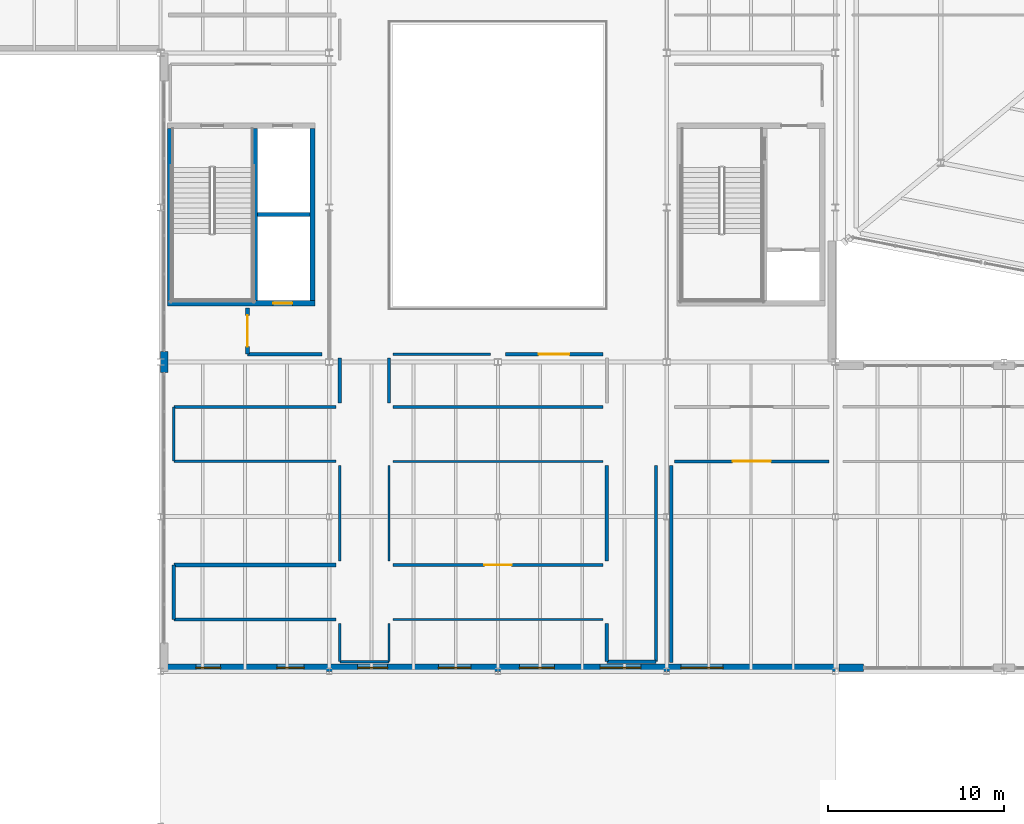
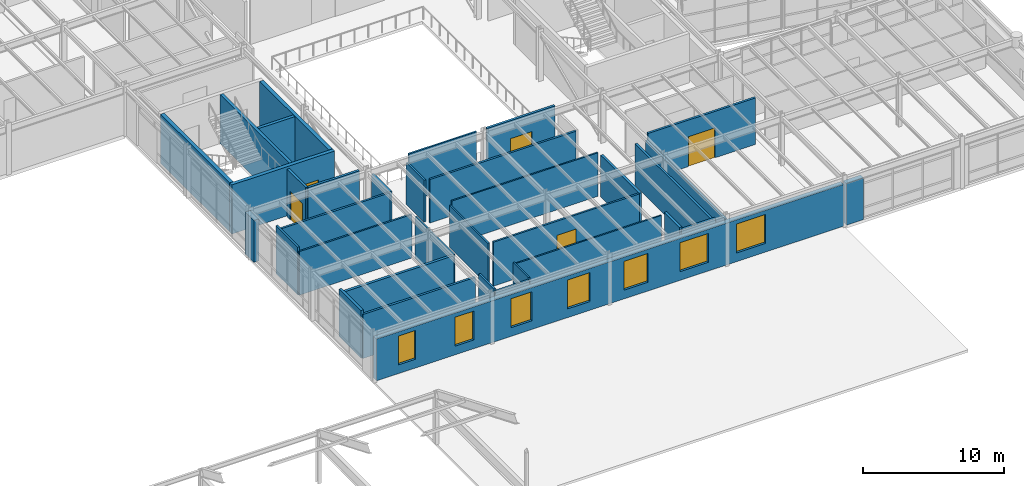
# One storey, part 70 of 88: 35 walls, 7 windows, 5 doors, 12 openings.
"""IFC4 building model written with IfcOpenShell, lengths in metres."""

import ifcopenshell
import ifcopenshell.guid

model = None  # the IFC model being written
_history = None  # IfcOwnerHistory: only IFC2X3 demands one
_inside = {}  # id of a spatial element -> (the spatial element, [elements in it])
_under = {}  # id of a project, library or spatial element -> (it, [spatial elements below it])
_declared = {}  # id of a project -> (the project, [libraries it declares])
_typed = {}  # id of a type object -> (the type object, [elements of that type])
_made_of = {}  # id of a material, layer set ... -> (it, [elements and type objects made of it])


def new_model(schema):
    """Start an empty IFC model of exactly this schema.

    Asked for "IFC4X3", IfcOpenShell would pick the latest addendum, in which some entities
    have other attributes; the version numbers below select the first issue.
    IFC2X3 requires an IfcOwnerHistory on every rooted entity: one is made here for all.
    """
    global model, _history
    if schema == "IFC4X3":
        model = ifcopenshell.file(schema_version=(4, 3, 0, 0))
    else:
        model = ifcopenshell.file(schema=schema)
    _inside.clear()
    _under.clear()
    _declared.clear()
    _typed.clear()
    _made_of.clear()
    _history = None
    if model.schema == "IFC2X3":
        org = make("IfcOrganization", Name="unknown")
        user = make(
            "IfcPersonAndOrganization",
            ThePerson=make("IfcPerson", FamilyName="unknown"),
            TheOrganization=org,
        )
        app = make(
            "IfcApplication",
            ApplicationDeveloper=org,
            Version="unknown",
            ApplicationFullName="unknown",
            ApplicationIdentifier="unknown",
        )
        _history = make(
            "IfcOwnerHistory",
            OwningUser=user,
            OwningApplication=app,
            ChangeAction="ADDED",
            CreationDate=0,
        )
    return model


def make(cls, **values):
    """One entity of the class cls with the attributes given. An attribute that is None is left unset."""
    return model.create_entity(
        cls, **{name: value for name, value in values.items() if value is not None}
    )


def rooted(cls, **values):
    """An entity with a GlobalId (a new one), such as an element, a storey or a relation."""
    return make(cls, GlobalId=ifcopenshell.guid.new(), OwnerHistory=_history, **values)


def si_unit(unit_type, name, prefix=None):
    """IfcSIUnit, for example si_unit("LENGTHUNIT", "METRE", prefix="MILLI")."""
    return make("IfcSIUnit", UnitType=unit_type, Prefix=prefix, Name=name)


def assignment(units):
    """IfcUnitAssignment: the units of a project."""
    return None if units is None else make("IfcUnitAssignment", Units=units)


def point(xyz):
    """IfcCartesianPoint."""
    return None if xyz is None else make("IfcCartesianPoint", Coordinates=xyz)


def direction(xyz):
    """IfcDirection."""
    return None if xyz is None else make("IfcDirection", DirectionRatios=xyz)


def frame(location, z_axis=None, x_axis=None):
    """IfcAxis2Placement3D, a coordinate frame: its origin and axes. An axis left out is left unset."""
    return make(
        "IfcAxis2Placement3D",
        Location=point(location),
        Axis=direction(z_axis),
        RefDirection=direction(x_axis),
    )


def frame_2d(location, x_axis=None):
    """IfcAxis2Placement2D, a coordinate frame in the plane: its origin and x axis."""
    return make(
        "IfcAxis2Placement2D", Location=point(location), RefDirection=direction(x_axis)
    )


def origin():
    """The frame at (0, 0, 0) with its axes left unset."""
    return frame((0.0, 0.0, 0.0))


def place(relative_to, where):
    """IfcLocalPlacement: puts the frame where relative to a parent placement (None: the world)."""
    return make(
        "IfcLocalPlacement", PlacementRelTo=relative_to, RelativePlacement=where
    )


def context(
    kind, dimensions, precision=None, world=None, true_north=None, identifier=None
):
    """IfcGeometricRepresentationContext, for example the 3D "Model" context."""
    return make(
        "IfcGeometricRepresentationContext",
        ContextIdentifier=identifier,
        ContextType=kind,
        CoordinateSpaceDimension=dimensions,
        Precision=precision,
        WorldCoordinateSystem=world,
        TrueNorth=true_north,
    )


def subcontext(parent, identifier, kind, view, scale=None):
    """IfcGeometricRepresentationSubContext, for example "Body" below "Model"."""
    return make(
        "IfcGeometricRepresentationSubContext",
        ContextIdentifier=identifier,
        ContextType=kind,
        ParentContext=parent,
        TargetScale=scale,
        TargetView=view,
    )


def project(units=None, contexts=None):
    """IfcProject with its units and contexts."""
    return rooted(
        "IfcProject",
        Name="project",
        RepresentationContexts=contexts,
        UnitsInContext=assignment(units),
    )


def spatial(cls, under=None, at=None, **own):
    """A site, building, storey or space (cls), placed at a placement, below another one or the project."""
    s = rooted(cls, ObjectPlacement=at, **own)
    if under is not None:
        _under.setdefault(under.id(), (under, []))[1].append(s)
    return s


def profile(cls, at=None, kind="AREA", **sizes):
    """A parametric profile (cls). Its sizes go by their IFC names, for example OverallWidth=200.0."""
    return make(cls, ProfileType=kind, Position=at, **sizes)


def rectangle(**sizes):
    """IfcRectangleProfileDef."""
    return profile("IfcRectangleProfileDef", **sizes)


def extrude(swept, where, along, depth):
    """IfcExtrudedAreaSolid: the profile swept, set in the frame where, extruded along a direction by depth."""
    return make(
        "IfcExtrudedAreaSolid",
        SweptArea=swept,
        Position=where,
        ExtrudedDirection=direction(along),
        Depth=depth,
    )


def shape(context_of_items, identifier, shape_type, items):
    """IfcShapeRepresentation: the items that make up one representation, for example the "Body"."""
    return make(
        "IfcShapeRepresentation",
        ContextOfItems=context_of_items,
        RepresentationIdentifier=identifier,
        RepresentationType=shape_type,
        Items=items,
    )


def material(Name=None, Category=None):
    """IfcMaterial."""
    return make("IfcMaterial", Name=Name, Category=Category)


def layer(
    of_material, thickness, ventilated=None, Name=None, Category=None, Priority=None
):
    """IfcMaterialLayer: one layer of a wall or slab, of a material (None: an air gap)."""
    return make(
        "IfcMaterialLayer",
        Material=of_material,
        LayerThickness=thickness,
        IsVentilated=ventilated,
        Name=Name,
        Category=Category,
        Priority=Priority,
    )


def layer_set(layers, Name=None):
    """IfcMaterialLayerSet."""
    return make("IfcMaterialLayerSet", MaterialLayers=layers, LayerSetName=Name)


def made_of(thing, what):
    """Note that an element or type object is made of a material, layer set ...; save() writes the relation."""
    if what is not None:
        _made_of.setdefault(what.id(), (what, []))[1].append(thing)
    return thing


def type_object(cls, material=None, **own):
    """A type object (cls), such as IfcWallType, which elements share."""
    return made_of(rooted(cls, **own), material)


def element(
    cls,
    number,
    at=None,
    inside=None,
    cuts=None,
    type_object=None,
    material=None,
    context=None,
    identifier="Body",
    shape_type=None,
    held_by="IfcProductDefinitionShape",
    body=None,
    shapes=None,
    **own,
):
    """One element of the class cls, such as IfcWall. Its Tag is "e" and its number.

    at: its placement. inside: the storey or other place that contains it. cuts: it is an
    opening in that element (IfcRelVoidsElement). A single representation is given by context,
    identifier, shape_type and body (its items); several are given by shapes. held_by: the class
    of the entity that holds the representations. save() writes the other relations.
    """
    e = rooted(cls, Tag="e%d" % number, ObjectPlacement=at, **own)
    if body is not None:
        shapes = [shape(context, identifier, shape_type, body)]
    if shapes is not None:
        e.Representation = make(held_by, Representations=shapes)
    if inside is not None:
        _inside.setdefault(inside.id(), (inside, []))[1].append(e)
    if cuts is not None:
        rooted(
            "IfcRelVoidsElement", RelatingBuildingElement=cuts, RelatedOpeningElement=e
        )
    if type_object is not None:
        _typed.setdefault(type_object.id(), (type_object, []))[1].append(e)
    return made_of(e, material)


def fill(opening, filler):
    """IfcRelFillsElement: the door or window that sits in an opening."""
    return rooted(
        "IfcRelFillsElement",
        RelatingOpeningElement=opening,
        RelatedBuildingElement=filler,
    )


def aggregate(whole, parts):
    """IfcRelAggregates: a whole, such as a stair, and the parts it consists of."""
    return rooted("IfcRelAggregates", RelatingObject=whole, RelatedObjects=parts)


def save(model, path):
    """Write the relations noted so far, then the file.

    IfcRelAggregates (storeys below a building ...), IfcRelContainedInSpatialStructure (elements
    in a storey), IfcRelDefinesByType, IfcRelAssociatesMaterial and IfcRelDeclares: one each for
    every whole, place, type object, material and project.
    """
    for whole, parts in _under.values():
        aggregate(whole, parts)
    for where, things in _inside.values():
        rooted(
            "IfcRelContainedInSpatialStructure",
            RelatedElements=things,
            RelatingStructure=where,
        )
    for kind, things in _typed.values():
        rooted("IfcRelDefinesByType", RelatedObjects=things, RelatingType=kind)
    for what, things in _made_of.values():
        rooted("IfcRelAssociatesMaterial", RelatedObjects=things, RelatingMaterial=what)
    for by, libraries in _declared.values():
        rooted("IfcRelDeclares", RelatingContext=by, RelatedDefinitions=libraries)
    model.write(path)


model = new_model("IFC4")

# Units and contexts
model_context = context("Model", 3, precision=1e-05, world=origin(), true_north=direction((0.0, 1.0)))
body_context = subcontext(model_context, "Body", "Model", "MODEL_VIEW")
ifc_project = project(units=[si_unit("LENGTHUNIT", "METRE"), si_unit("AREAUNIT", "SQUARE_METRE"), si_unit("VOLUMEUNIT", "CUBIC_METRE"), si_unit("PLANEANGLEUNIT", "RADIAN"), si_unit("MASSUNIT", "GRAM", prefix="KILO")], contexts=[model_context])

# Site, building, storey
site_placement = place(None, origin())
site = spatial("IfcSite", under=ifc_project, at=site_placement, CompositionType="ELEMENT")
building_placement = place(site_placement, origin())
building = spatial("IfcBuilding", under=site, at=building_placement, Name="Sarnbrook Museum", CompositionType="ELEMENT")
storey_placement = place(building_placement, frame((0.0, 0.0, 10.10009765625)))
storey = spatial("IfcBuildingStorey", under=building, at=storey_placement, Name="L02", CompositionType="ELEMENT", Elevation=10.10009765625)

# Wall, opening, door
ifc_material_1 = material(Name="Concrete N50 (AS 3600, f'c = 50 MPa)", Category="concrete")
ifc_layer_1 = layer(ifc_material_1, 0.300048828125)
ifc_layer_set_1 = layer_set([ifc_layer_1], Name="Concrete N50 (AS 3600, f'c = 50 MPa)")
wall_type_1 = type_object("IfcWallType", Name="CoreWall_CWRC", PredefinedType="SHEAR", material=ifc_layer_set_1)
wall_1_placement = place(storey_placement, frame((81.199951171875, 60.14990234375, 0.0), z_axis=(0.0, 0.0, 1.0), x_axis=(1.0, 0.0, 0.0)))
wall_1 = element("IfcWall", 1, at=wall_1_placement, inside=storey, type_object=wall_type_1, Name="Core C3 Shear Wall S L02", PredefinedType="SHEAR", context=body_context, shape_type="SweptSolid", body=[
    extrude(rectangle(XDim=8.400146484375, YDim=0.300048828125, at=frame_2d((4.2001953125, 0.0))), origin(), (0.0, 0.0, 1.0), 4.244873046875),
])
opening_1_placement = place(wall_1_placement, frame((6.0, 0.0, 0.0)))
opening_1 = element("IfcOpeningElement", 2, at=opening_1_placement, cuts=wall_1, Name="Opening LD-PL1-L02", PredefinedType="OPENING", context=body_context, shape_type="SweptSolid", body=[
    extrude(rectangle(XDim=1.10009765625, YDim=2.199951171875, at=frame_2d((0.550048828125, 1.10009765625))), frame((0.0, 0.16015625, 0.0), z_axis=(0.0, -1.0, 0.0), x_axis=(1.0, 0.0, 0.0)), (0.0, 0.0, 1.0), 0.320068359375),
])
ifc_material_2 = material(Name="Brushed Stainless Steel Grade 316", Category="steel")
door_type_1 = type_object("IfcDoorType", Name="LiftDoor_Pax110", OperationType="DOUBLE_DOOR_SLIDING", PredefinedType="DOOR", material=ifc_material_2)
door_1_placement = place(opening_1_placement, origin())
door_1 = element("IfcDoor", 3, at=door_1_placement, inside=storey, type_object=door_type_1, Name="Lift Landing Sliding Door LD-PL1-L02", OperationType="DOUBLE_DOOR_SLIDING", OverallHeight=2.199951171875, OverallWidth=1.10009765625, PredefinedType="DOOR", context=body_context, shape_type="SweptSolid", body=[
    extrude(rectangle(XDim=1.10009765625, YDim=2.199951171875, at=frame_2d((0.550048828125, 1.10009765625))), frame((0.0, 0.02490234375, 0.0), z_axis=(0.0, -1.0, 0.0), x_axis=(1.0, 0.0, 0.0)), (0.0, 0.0, 1.0), 0.050048828125),
])
fill(opening_1, door_1)

# Walls
for number, where, z_axis, x_axis, name in (
    (4, (89.449951171875, 60.31005859375, 0.0), (0.0, 0.0, 1.0), (0.0, 1.0, 0.0), "Core C3 Shear Wall E L02"),
    (5, (81.35009765625, 70.090087890625, 0.0), (0.0, 0.0, 1.0), (0.0, -1.0, 0.0), "Core C3 Shear Wall W L02"),
):
    element("IfcWall", number, at=place(storey_placement, frame(where, z_axis=z_axis, x_axis=x_axis)), inside=storey, type_object=wall_type_1, Name=name, PredefinedType="SHEAR", context=body_context, shape_type="SweptSolid", body=[
        extrude(rectangle(XDim=9.780029296875, YDim=0.300048828125, at=frame_2d((4.89013671875, 0.0))), origin(), (0.0, 0.0, 1.0), 4.244873046875),
    ])
ifc_material_3 = material(Name="Fire-Rated Acoustic Gypsum Plasterboard")
ifc_layer_2 = layer(ifc_material_3, 0.1201171875)
ifc_layer_set_2 = layer_set([ifc_layer_2], Name="Fire-Rated Acoustic Gypsum Plasterboard")
wall_type_2 = type_object("IfcWallType", Name="PartWall_P120", PredefinedType="PARTITIONING", material=ifc_layer_set_2)
wall_2_placement = place(storey_placement, frame((91.0, 50.919921875, 0.0), z_axis=(0.0, 0.0, 1.0), x_axis=(0.0, -1.0, 0.0)))
element("IfcWall", 6, at=wall_2_placement, inside=storey, type_object=wall_type_2, Name="Interior Partition Wall L02-0482", PredefinedType="PARTITIONING", context=body_context, shape_type="SweptSolid", body=[
    extrude(rectangle(XDim=5.43994140625, YDim=0.1201171875, at=frame_2d((2.719970703125, 0.0))), origin(), (0.0, 0.0, 1.0), 3.61279296875),
])
wall_3_placement = place(storey_placement, frame((94.030029296875, 42.14990234375, 0.0), z_axis=(0.0, 0.0, 1.0), x_axis=(1.0, 0.0, 0.0)))
element("IfcWall", 7, at=wall_3_placement, inside=storey, type_object=wall_type_2, Name="Interior Partition Wall L02-0489", PredefinedType="PARTITIONING", context=body_context, shape_type="SweptSolid", body=[
    extrude(rectangle(XDim=11.93994140625, YDim=0.1201171875, at=frame_2d((5.969970703125, 0.0))), origin(), (0.0, 0.0, 1.0), 3.802978515625),
])
wall_4_placement = place(storey_placement, frame((94.030029296875, 51.14990234375, 0.0), z_axis=(0.0, 0.0, 1.0), x_axis=(1.0, 0.0, 0.0)))
element("IfcWall", 8, at=wall_4_placement, inside=storey, type_object=wall_type_2, Name="Interior Partition Wall L02-0510", PredefinedType="PARTITIONING", context=body_context, shape_type="SweptSolid", body=[
    extrude(rectangle(XDim=11.93994140625, YDim=0.1201171875, at=frame_2d((5.969970703125, 0.0))), origin(), (0.0, 0.0, 1.0), 3.762939453125),
])
ifc_layer_3 = layer(ifc_material_3, 0.135009765625)
ifc_layer_set_3 = layer_set([ifc_layer_3], Name="Fire-Rated Acoustic Gypsum Plasterboard")
wall_type_3 = type_object("IfcWallType", Name="PartWall_P135", PredefinedType="PARTITIONING", material=ifc_layer_set_3)
wall_5_placement = place(storey_placement, frame((81.56005859375, 51.14990234375, 0.0), z_axis=(0.0, 0.0, 1.0), x_axis=(1.0, 0.0, 0.0)))
element("IfcWall", 9, at=wall_5_placement, inside=storey, type_object=wall_type_3, Name="Interior Partition Wall L02-0481", PredefinedType="PARTITIONING", context=body_context, shape_type="SweptSolid", body=[
    extrude(rectangle(XDim=9.2099609375, YDim=0.135009765625, at=frame_2d((4.60498046875, 0.0))), origin(), (0.0, 0.0, 1.0), 3.762939453125),
])
wall_6_placement = place(storey_placement, frame((93.800048828125, 39.760009765625, 0.0), z_axis=(0.0, 0.0, 1.0), x_axis=(0.0, 1.0, 0.0)))
element("IfcWall", 10, at=wall_6_placement, inside=storey, type_object=wall_type_3, Name="Interior Partition Wall L02-0488", PredefinedType="PARTITIONING", context=body_context, shape_type="SweptSolid", body=[
    extrude(rectangle(XDim=2.159912109375, YDim=0.135009765625, at=frame_2d((1.080078125, 0.0))), origin(), (0.0, 0.0, 1.0), 4.1298828125),
])
wall_7_placement = place(storey_placement, frame((93.800048828125, 45.47998046875, 0.0), z_axis=(0.0, 0.0, 1.0), x_axis=(0.0, 1.0, 0.0)))
element("IfcWall", 11, at=wall_7_placement, inside=storey, type_object=wall_type_3, Name="Interior Partition Wall L02-0509", PredefinedType="PARTITIONING", context=body_context, shape_type="SweptSolid", body=[
    extrude(rectangle(XDim=5.43994140625, YDim=0.135009765625, at=frame_2d((2.719970703125, 0.0))), origin(), (0.0, 0.0, 1.0), 3.61279296875),
])
wall_8_placement = place(storey_placement, frame((94.030029296875, 57.25, 0.0), z_axis=(0.0, 0.0, 1.0), x_axis=(1.0, 0.0, 0.0)))
element("IfcWall", 12, at=wall_8_placement, inside=storey, type_object=wall_type_3, Name="Interior Partition Wall L02-0516", PredefinedType="PARTITIONING", context=body_context, shape_type="SweptSolid", body=[
    extrude(rectangle(XDim=5.55224609375, YDim=0.135009765625, at=frame_2d((2.776123046875, 0.0))), origin(), (0.0, 0.0, 1.0), 4.1298828125),
])
ifc_layer_4 = layer(ifc_material_3, 0.14990234375)
ifc_layer_set_4 = layer_set([ifc_layer_4], Name="Fire-Rated Acoustic Gypsum Plasterboard")
wall_type_4 = type_object("IfcWallType", Name="PartWall_P150", PredefinedType="PARTITIONING", material=ifc_layer_set_4)
wall_9_placement = place(storey_placement, frame((81.550048828125, 54.239990234375, 0.0), z_axis=(0.0, 0.0, 1.0), x_axis=(0.0, -1.0, 0.0)))
element("IfcWall", 13, at=wall_9_placement, inside=storey, type_object=wall_type_4, Name="Interior Partition Wall L02-0480", PredefinedType="PARTITIONING", context=body_context, shape_type="SweptSolid", body=[
    extrude(rectangle(XDim=3.080078125, YDim=0.14990234375, at=frame_2d((1.5400390625, 0.0))), origin(), (0.0, 0.0, 1.0), 4.1298828125),
])
wall_10_placement = place(storey_placement, frame((91.010009765625, 39.75, 0.0), z_axis=(0.0, 0.0, 1.0), x_axis=(1.0, 0.0, 0.0)))
element("IfcWall", 14, at=wall_10_placement, inside=storey, type_object=wall_type_4, Name="Interior Partition Wall L02-0487", PredefinedType="PARTITIONING", context=body_context, shape_type="SweptSolid", body=[
    extrude(rectangle(XDim=2.780029296875, YDim=0.14990234375, at=frame_2d((1.39013671875, 0.0))), origin(), (0.0, 0.0, 1.0), 3.952880859375),
])

# Wall, opening, door
wall_11_placement = place(storey_placement, frame((105.969970703125, 45.25, 0.0), z_axis=(0.0, 0.0, 1.0), x_axis=(-1.0, 0.0, 0.0)))
wall_11 = element("IfcWall", 15, at=wall_11_placement, inside=storey, type_object=wall_type_4, Name="Interior Partition Wall L02-0508", PredefinedType="PARTITIONING", context=body_context, shape_type="SweptSolid", body=[
    extrude(rectangle(XDim=11.93994140625, YDim=0.14990234375, at=frame_2d((5.969970703125, 0.0))), origin(), (0.0, 0.0, 1.0), 3.802978515625),
])
opening_2_placement = place(wall_11_placement, frame((5.195068359375, 0.0, 0.0)))
opening_2 = element("IfcOpeningElement", 16, at=opening_2_placement, cuts=wall_11, Name="Opening D-L02-148", PredefinedType="OPENING", context=body_context, shape_type="SweptSolid", body=[
    extrude(rectangle(XDim=1.550048828125, YDim=2.580078125, at=frame_2d((0.77490234375, 1.2900390625))), frame((0.0, 0.0849609375, 0.0), z_axis=(0.0, -1.0, 0.0), x_axis=(1.0, 0.0, 0.0)), (0.0, 0.0, 1.0), 0.169921875),
])
ifc_material_4 = material(Name="Tasmanian Oak Acoustic Timber", Category="wood")
door_type_2 = type_object("IfcDoorType", Name="IntDoor_DT34", OperationType="NOTDEFINED", PredefinedType="DOOR", material=ifc_material_4)
door_2_placement = place(opening_2_placement, frame((1.550048828125, 0.0, 0.0), z_axis=(0.0, 0.0, 1.0), x_axis=(-1.0, 0.0, 0.0)))
door_2 = element("IfcDoor", 17, at=door_2_placement, inside=storey, type_object=door_type_2, Name="Entomology & Arachnid Pavilion L02-9 Door D-L02-148", OperationType="SINGLE_SWING_RIGHT", OverallHeight=2.580078125, OverallWidth=1.550048828125, PredefinedType="DOOR", context=body_context, shape_type="SweptSolid", body=[
    extrude(rectangle(XDim=1.550048828125, YDim=2.580078125, at=frame_2d((0.77490234375, 1.2900390625))), frame((0.0, 0.02490234375, 0.0), z_axis=(0.0, -1.0, 0.0), x_axis=(1.0, 0.0, 0.0)), (0.0, 0.0, 1.0), 0.050048828125),
])
fill(opening_2, door_2)

# Walls
wall_12_placement = place(storey_placement, frame((93.800048828125, 54.47998046875, 0.0), z_axis=(0.0, 0.0, 1.0), x_axis=(0.0, 1.0, 0.0)))
element("IfcWall", 18, at=wall_12_placement, inside=storey, type_object=wall_type_4, Name="Interior Partition Wall L02-0515", PredefinedType="PARTITIONING", context=body_context, shape_type="SweptSolid", body=[
    extrude(rectangle(XDim=2.5400390625, YDim=0.14990234375, at=frame_2d((1.27001953125, 0.0))), origin(), (0.0, 0.0, 1.0), 3.61279296875),
])
ifc_layer_5 = layer(ifc_material_3, 0.1650390625)
ifc_layer_set_5 = layer_set([ifc_layer_5], Name="Fire-Rated Acoustic Gypsum Plasterboard")
wall_type_5 = type_object("IfcWallType", Name="PartWall_P165", PredefinedType="PARTITIONING", material=ifc_layer_set_5)
wall_13_placement = place(storey_placement, frame((90.77001953125, 54.25, 0.0), z_axis=(0.0, 0.0, 1.0), x_axis=(-1.0, 0.0, 0.0)))
element("IfcWall", 19, at=wall_13_placement, inside=storey, type_object=wall_type_5, Name="Interior Partition Wall L02-0479", PredefinedType="PARTITIONING", context=body_context, shape_type="SweptSolid", body=[
    extrude(rectangle(XDim=9.2099609375, YDim=0.1650390625, at=frame_2d((4.60498046875, 0.0))), origin(), (0.0, 0.0, 1.0), 3.762939453125),
])
wall_14_placement = place(storey_placement, frame((91.0, 41.919921875, 0.0), z_axis=(0.0, 0.0, 1.0), x_axis=(0.0, -1.0, 0.0)))
element("IfcWall", 20, at=wall_14_placement, inside=storey, type_object=wall_type_5, Name="Interior Partition Wall L02-0486", PredefinedType="PARTITIONING", context=body_context, shape_type="SweptSolid", body=[
    extrude(rectangle(XDim=2.159912109375, YDim=0.1650390625, at=frame_2d((1.080078125, 0.0))), origin(), (0.0, 0.0, 1.0), 4.1298828125),
])
wall_15_placement = place(storey_placement, frame((105.969970703125, 54.25, 0.0), z_axis=(0.0, 0.0, 1.0), x_axis=(-1.0, 0.0, 0.0)))
element("IfcWall", 21, at=wall_15_placement, inside=storey, type_object=wall_type_5, Name="Interior Partition Wall L02-0514", PredefinedType="PARTITIONING", context=body_context, shape_type="SweptSolid", body=[
    extrude(rectangle(XDim=11.93994140625, YDim=0.1650390625, at=frame_2d((5.969970703125, 0.0))), origin(), (0.0, 0.0, 1.0), 3.762939453125),
])
ifc_layer_6 = layer(ifc_material_3, 0.179931640625)
ifc_layer_set_6 = layer_set([ifc_layer_6], Name="Fire-Rated Acoustic Gypsum Plasterboard")
wall_type_6 = type_object("IfcWallType", Name="PartWall_P180", PredefinedType="PARTITIONING", material=ifc_layer_set_6)
wall_16_placement = place(storey_placement, frame((91.0, 57.02001953125, 0.0), z_axis=(0.0, 0.0, 1.0), x_axis=(0.0, -1.0, 0.0)))
element("IfcWall", 22, at=wall_16_placement, inside=storey, type_object=wall_type_6, Name="Interior Partition Wall L02-0478", PredefinedType="PARTITIONING", context=body_context, shape_type="SweptSolid", body=[
    extrude(rectangle(XDim=2.5400390625, YDim=0.179931640625, at=frame_2d((1.27001953125, 0.0))), origin(), (0.0, 0.0, 1.0), 3.61279296875),
])
wall_17_placement = place(storey_placement, frame((81.56005859375, 42.14990234375, 0.0), z_axis=(0.0, 0.0, 1.0), x_axis=(1.0, 0.0, 0.0)))
element("IfcWall", 23, at=wall_17_placement, inside=storey, type_object=wall_type_6, Name="Interior Partition Wall L02-0485", PredefinedType="PARTITIONING", context=body_context, shape_type="SweptSolid", body=[
    extrude(rectangle(XDim=9.2099609375, YDim=0.179931640625, at=frame_2d((4.60498046875, 0.0))), origin(), (0.0, 0.0, 1.0), 3.802978515625),
])
wall_18_placement = place(storey_placement, frame((109.0, 39.760009765625, 0.0), z_axis=(0.0, 0.0, 1.0), x_axis=(0.0, 1.0, 0.0)))
element("IfcWall", 24, at=wall_18_placement, inside=storey, type_object=wall_type_6, Name="Interior Partition Wall L02-0492", PredefinedType="PARTITIONING", context=body_context, shape_type="SweptSolid", body=[
    extrude(rectangle(XDim=11.159912109375, YDim=0.179931640625, at=frame_2d((5.580078125, 0.0))), origin(), (0.0, 0.0, 1.0), 3.61279296875),
])

# Wall, opening, door
wall_19_placement = place(storey_placement, frame((110.050048828125, 51.14990234375, 0.0), z_axis=(0.0, 0.0, 1.0), x_axis=(1.0, 0.0, 0.0)))
wall_19 = element("IfcWall", 25, at=wall_19_placement, inside=storey, type_object=wall_type_6, Name="Interior Partition Wall L02-0520", PredefinedType="PARTITIONING", context=body_context, shape_type="SweptSolid", body=[
    extrude(rectangle(XDim=8.7900390625, YDim=0.179931640625, at=frame_2d((4.39501953125, 0.0))), origin(), (0.0, 0.0, 1.0), 4.012939453125),
])
opening_3_placement = place(wall_19_placement, frame((3.304931640625, 0.0, 0.0)))
opening_3 = element("IfcOpeningElement", 26, at=opening_3_placement, cuts=wall_19, Name="Opening D-L02-151", PredefinedType="OPENING", context=body_context, shape_type="SweptSolid", body=[
    extrude(rectangle(XDim=2.179931640625, YDim=2.580078125, at=frame_2d((1.08984375, 1.2900390625))), frame((0.0, 0.10009765625, 0.0), z_axis=(0.0, -1.0, 0.0), x_axis=(1.0, 0.0, 0.0)), (0.0, 0.0, 1.0), 0.199951171875),
])
door_type_3 = type_object("IfcDoorType", Name="IntDoor_DT37", OperationType="NOTDEFINED", PredefinedType="DOOR", material=ifc_material_4)
door_3_placement = place(opening_3_placement, origin())
door_3 = element("IfcDoor", 27, at=door_3_placement, inside=storey, type_object=door_type_3, Name="Travelling Exhibition Hall L02-12 Door D-L02-151", OperationType="DOUBLE_DOOR_SINGLE_SWING", OverallHeight=2.580078125, OverallWidth=2.179931640625, PredefinedType="DOOR", context=body_context, shape_type="SweptSolid", body=[
    extrude(rectangle(XDim=2.179931640625, YDim=2.580078125, at=frame_2d((1.08984375, 1.2900390625))), frame((0.0, 0.02490234375, 0.0), z_axis=(0.0, -1.0, 0.0), x_axis=(1.0, 0.0, 0.0)), (0.0, 0.0, 1.0), 0.050048828125),
])
fill(opening_3, door_3)

# Walls
wall_20_placement = place(storey_placement, frame((109.860107421875, 50.919921875, 0.0), z_axis=(0.0, 0.0, 1.0), x_axis=(0.0, -1.0, 0.0)))
element("IfcWall", 28, at=wall_20_placement, inside=storey, type_object=wall_type_6, Name="Interior Partition Wall L02-0576", PredefinedType="PARTITIONING", context=body_context, shape_type="SweptSolid", body=[
    extrude(rectangle(XDim=11.219970703125, YDim=0.179931640625, at=frame_2d((5.60986328125, 0.0))), origin(), (0.0, 0.0, 1.0), 3.61279296875),
])
ifc_layer_7 = layer(ifc_material_3, 0.195068359375)
ifc_layer_set_7 = layer_set([ifc_layer_7], Name="Fire-Rated Acoustic Gypsum Plasterboard")
wall_type_7 = type_object("IfcWallType", Name="PartWall_P195", PredefinedType="PARTITIONING", material=ifc_layer_set_7)
wall_21_placement = place(storey_placement, frame((85.760009765625, 57.25, 0.0), z_axis=(0.0, 0.0, 1.0), x_axis=(1.0, 0.0, 0.0)))
element("IfcWall", 29, at=wall_21_placement, inside=storey, type_object=wall_type_7, Name="Interior Partition Wall L02-0477", PredefinedType="PARTITIONING", context=body_context, shape_type="SweptSolid", body=[
    extrude(rectangle(XDim=4.222412109375, YDim=0.195068359375, at=frame_2d((2.111328125, 0.0))), origin(), (0.0, 0.0, 1.0), 4.1298828125),
])
wall_22_placement = place(storey_placement, frame((81.550048828125, 45.239990234375, 0.0), z_axis=(0.0, 0.0, 1.0), x_axis=(0.0, -1.0, 0.0)))
element("IfcWall", 30, at=wall_22_placement, inside=storey, type_object=wall_type_7, Name="Interior Partition Wall L02-0484", PredefinedType="PARTITIONING", context=body_context, shape_type="SweptSolid", body=[
    extrude(rectangle(XDim=3.080078125, YDim=0.195068359375, at=frame_2d((1.5400390625, 0.0))), origin(), (0.0, 0.0, 1.0), 4.1298828125),
])
wall_23_placement = place(storey_placement, frame((106.2099609375, 39.75, 0.0), z_axis=(0.0, 0.0, 1.0), x_axis=(1.0, 0.0, 0.0)))
element("IfcWall", 31, at=wall_23_placement, inside=storey, type_object=wall_type_7, Name="Interior Partition Wall L02-0491", PredefinedType="PARTITIONING", context=body_context, shape_type="SweptSolid", body=[
    extrude(rectangle(XDim=2.780029296875, YDim=0.195068359375, at=frame_2d((1.39013671875, 0.0))), origin(), (0.0, 0.0, 1.0), 3.955810546875),
])

# Wall, opening, door
wall_24_placement = place(storey_placement, frame((100.417724609375, 57.25, 0.0), z_axis=(0.0, 0.0, 1.0), x_axis=(1.0, 0.0, 0.0)))
wall_24 = element("IfcWall", 32, at=wall_24_placement, inside=storey, type_object=wall_type_7, Name="Interior Partition Wall L02-0512", PredefinedType="PARTITIONING", context=body_context, shape_type="SweptSolid", body=[
    extrude(rectangle(XDim=5.55224609375, YDim=0.195068359375, at=frame_2d((2.776123046875, 0.0))), origin(), (0.0, 0.0, 1.0), 4.1298828125),
])
opening_4_placement = place(wall_24_placement, frame((1.901123046875, 0.0, 0.0)))
opening_4 = element("IfcOpeningElement", 33, at=opening_4_placement, cuts=wall_24, Name="Opening D-L02-149", PredefinedType="OPENING", context=body_context, shape_type="SweptSolid", body=[
    extrude(rectangle(XDim=1.75, YDim=2.580078125, at=frame_2d((0.875, 1.2900390625))), frame((0.0, 0.107421875, 0.0), z_axis=(0.0, -1.0, 0.0), x_axis=(1.0, 0.0, 0.0)), (0.0, 0.0, 1.0), 0.215087890625),
])
door_type_4 = type_object("IfcDoorType", Name="IntDoor_DT35", OperationType="NOTDEFINED", PredefinedType="DOOR", material=ifc_material_4)
door_4_placement = place(opening_4_placement, origin())
door_4 = element("IfcDoor", 34, at=door_4_placement, inside=storey, type_object=door_type_4, Name="Microscopy & Imaging Laboratory L02-10 Door D-L02-149", OperationType="DOUBLE_DOOR_SINGLE_SWING", OverallHeight=2.580078125, OverallWidth=1.75, PredefinedType="DOOR", context=body_context, shape_type="SweptSolid", body=[
    extrude(rectangle(XDim=1.75, YDim=2.580078125, at=frame_2d((0.875, 1.2900390625))), frame((0.0, 0.02490234375, 0.0), z_axis=(0.0, -1.0, 0.0), x_axis=(1.0, 0.0, 0.0)), (0.0, 0.0, 1.0), 0.050048828125),
])
fill(opening_4, door_4)

ifc_layer_8 = layer(ifc_material_3, 0.2099609375)
ifc_layer_set_8 = layer_set([ifc_layer_8], Name="Fire-Rated Acoustic Gypsum Plasterboard")
wall_type_8 = type_object("IfcWallType", Name="PartWall_P210", PredefinedType="PARTITIONING", material=ifc_layer_set_8)
wall_25_placement = place(storey_placement, frame((85.75, 59.8798828125, 0.0), z_axis=(0.0, 0.0, 1.0), x_axis=(0.0, -1.0, 0.0)))
wall_25 = element("IfcWall", 35, at=wall_25_placement, inside=storey, type_object=wall_type_8, Name="Interior Partition Wall L02-0476", PredefinedType="PARTITIONING", context=body_context, shape_type="SweptSolid", body=[
    extrude(rectangle(XDim=2.619873046875, YDim=0.2099609375, at=frame_2d((1.31005859375, 0.0))), origin(), (0.0, 0.0, 1.0), 4.1298828125),
])
opening_5_placement = place(wall_25_placement, frame((0.419921875, 0.0, 0.0)))
opening_5 = element("IfcOpeningElement", 36, at=opening_5_placement, cuts=wall_25, Name="Opening D-L02-145", PredefinedType="OPENING", context=body_context, shape_type="SweptSolid", body=[
    extrude(rectangle(XDim=1.780029296875, YDim=2.4599609375, at=frame_2d((0.89013671875, 1.22998046875))), frame((0.0, 0.114990234375, 0.0), z_axis=(0.0, -1.0, 0.0), x_axis=(1.0, 0.0, 0.0)), (0.0, 0.0, 1.0), 0.22998046875),
])
door_type_5 = type_object("IfcDoorType", Name="IntDoor_DT31", OperationType="NOTDEFINED", PredefinedType="DOOR", material=ifc_material_4)
door_5_placement = place(opening_5_placement, origin())
door_5 = element("IfcDoor", 37, at=door_5_placement, inside=storey, type_object=door_type_5, Name="Curatorial Research Suite L02-5 Door D-L02-145", OperationType="DOUBLE_DOOR_SINGLE_SWING", OverallHeight=2.4599609375, OverallWidth=1.780029296875, PredefinedType="DOOR", context=body_context, shape_type="SweptSolid", body=[
    extrude(rectangle(XDim=1.780029296875, YDim=2.4599609375, at=frame_2d((0.89013671875, 1.22998046875))), frame((0.0, 0.02490234375, 0.0), z_axis=(0.0, -1.0, 0.0), x_axis=(1.0, 0.0, 0.0)), (0.0, 0.0, 1.0), 0.050048828125),
])
fill(opening_5, door_5)

# Walls
wall_26_placement = place(storey_placement, frame((90.77001953125, 45.25, 0.0), z_axis=(0.0, 0.0, 1.0), x_axis=(-1.0, 0.0, 0.0)))
element("IfcWall", 38, at=wall_26_placement, inside=storey, type_object=wall_type_8, Name="Interior Partition Wall L02-0483", PredefinedType="PARTITIONING", context=body_context, shape_type="SweptSolid", body=[
    extrude(rectangle(XDim=9.2099609375, YDim=0.2099609375, at=frame_2d((4.60498046875, 0.0))), origin(), (0.0, 0.0, 1.0), 3.802978515625),
])
wall_27_placement = place(storey_placement, frame((106.199951171875, 41.919921875, 0.0), z_axis=(0.0, 0.0, 1.0), x_axis=(0.0, -1.0, 0.0)))
element("IfcWall", 39, at=wall_27_placement, inside=storey, type_object=wall_type_8, Name="Interior Partition Wall L02-0490", PredefinedType="PARTITIONING", context=body_context, shape_type="SweptSolid", body=[
    extrude(rectangle(XDim=2.159912109375, YDim=0.2099609375, at=frame_2d((1.080078125, 0.0))), origin(), (0.0, 0.0, 1.0), 4.1298828125),
])
wall_28_placement = place(storey_placement, frame((106.199951171875, 50.919921875, 0.0), z_axis=(0.0, 0.0, 1.0), x_axis=(0.0, -1.0, 0.0)))
element("IfcWall", 40, at=wall_28_placement, inside=storey, type_object=wall_type_8, Name="Interior Partition Wall L02-0511", PredefinedType="PARTITIONING", context=body_context, shape_type="SweptSolid", body=[
    extrude(rectangle(XDim=5.43994140625, YDim=0.2099609375, at=frame_2d((2.719970703125, 0.0))), origin(), (0.0, 0.0, 1.0), 3.61279296875),
])
ifc_material_5 = material(Name="Concrete N40 (AS 3600, f'c = 40 MPa)", Category="concrete")
ifc_layer_9 = layer(ifc_material_5, 0.239990234375)
ifc_layer_set_9 = layer_set([ifc_layer_9], Name="Concrete N40 (AS 3600, f'c = 40 MPa)")
wall_type_9 = type_object("IfcWallType", Name="ShaftWall_SWRC", PredefinedType="SOLIDWALL", material=ifc_layer_set_9)
wall_29_placement = place(storey_placement, frame((86.18994140625, 60.31005859375, 0.0), z_axis=(0.0, 0.0, 1.0), x_axis=(0.0, 1.0, 0.0)))
element("IfcWall", 41, at=wall_29_placement, inside=storey, type_object=wall_type_9, Name="Stairwell ST3 Fire Shaft Wall L02", PredefinedType="SOLIDWALL", context=body_context, shape_type="SweptSolid", body=[
    extrude(rectangle(XDim=9.780029296875, YDim=0.239990234375, at=frame_2d((4.89013671875, 0.0))), origin(), (0.0, 0.0, 1.0), 4.244873046875),
])
wall_30_placement = place(storey_placement, frame((86.320068359375, 65.199951171875, 0.0), z_axis=(0.0, 0.0, 1.0), x_axis=(1.0, 0.0, 0.0)))
element("IfcWall", 42, at=wall_30_placement, inside=storey, type_object=wall_type_9, Name="Core C3 Twin Lift Divider Wall L02", PredefinedType="SOLIDWALL", context=body_context, shape_type="SweptSolid", body=[
    extrude(rectangle(XDim=2.969970703125, YDim=0.239990234375, at=frame_2d((1.48486328125, 0.0))), origin(), (0.0, 0.0, 1.0), 4.244873046875),
])
ifc_material_6 = material(Name="Barrabool Sandstone Ashlar Cladding", Category="masonry")
ifc_layer_10 = layer(ifc_material_6, 0.419921875)
ifc_layer_set_10 = layer_set([ifc_layer_10], Name="Barrabool Sandstone Ashlar Cladding")
wall_type_10 = type_object("IfcWallType", Name="Wall_SandstoneExt420", PredefinedType="SOLIDWALL", material=ifc_layer_set_10)
wall_31_placement = place(storey_placement, frame((81.010009765625, 57.39990234375, 0.0), z_axis=(0.0, 0.0, 1.0), x_axis=(0.0, -1.0, 0.0)))
element("IfcWall", 43, at=wall_31_placement, inside=storey, type_object=wall_type_10, Name="Classical Sandstone Facade Pier L02-14.2", PredefinedType="SOLIDWALL", context=body_context, shape_type="SweptSolid", body=[
    extrude(rectangle(XDim=1.199951171875, YDim=0.419921875, at=frame_2d((0.60009765625, 0.0))), origin(), (0.0, 0.0, 1.0), 3.6279296875),
])

# Wall, openings, windows
wall_32_placement = place(storey_placement, frame((81.01611328125, 39.409912109375, 0.0), z_axis=(0.0, 0.0, 1.0), x_axis=(1.0, 0.0, 0.0)))
wall_32 = element("IfcWall", 44, at=wall_32_placement, inside=storey, type_object=wall_type_10, Name="Classical Sandstone Facade Wall L02-15", PredefinedType="SOLIDWALL", context=body_context, shape_type="SweptSolid", body=[
    extrude(rectangle(XDim=38.183837890625, YDim=0.419921875, at=frame_2d((19.091796875, 0.0))), origin(), (0.0, 0.0, 1.0), 3.60791015625),
])
opening_6_placement = place(wall_32_placement, frame((1.800048828125, 0.0, 0.75)))
opening_6 = element("IfcOpeningElement", 45, at=opening_6_placement, cuts=wall_32, Name="Opening WT-37", PredefinedType="OPENING", context=body_context, shape_type="SweptSolid", body=[
    extrude(rectangle(XDim=1.39990234375, YDim=2.5, at=frame_2d((0.699951171875, 1.25))), frame((0.0, 0.219970703125, 0.0), z_axis=(0.0, -1.0, 0.0), x_axis=(1.0, 0.0, 0.0)), (0.0, 0.0, 1.0), 0.43994140625),
])
opening_7_placement = place(wall_32_placement, frame((6.39990234375, 0.0, 0.75)))
opening_7 = element("IfcOpeningElement", 46, at=opening_7_placement, cuts=wall_32, Name="Opening WT-38", PredefinedType="OPENING", context=body_context, shape_type="SweptSolid", body=[
    extrude(rectangle(XDim=1.550048828125, YDim=2.5, at=frame_2d((0.77490234375, 1.25))), frame((0.0, 0.219970703125, 0.0), z_axis=(0.0, -1.0, 0.0), x_axis=(1.0, 0.0, 0.0)), (0.0, 0.0, 1.0), 0.43994140625),
])
opening_8_placement = place(wall_32_placement, frame((11.0, 0.0, 0.75)))
opening_8 = element("IfcOpeningElement", 47, at=opening_8_placement, cuts=wall_32, Name="Opening WT-39", PredefinedType="OPENING", context=body_context, shape_type="SweptSolid", body=[
    extrude(rectangle(XDim=1.699951171875, YDim=2.5, at=frame_2d((0.85009765625, 1.25))), frame((0.0, 0.219970703125, 0.0), z_axis=(0.0, -1.0, 0.0), x_axis=(1.0, 0.0, 0.0)), (0.0, 0.0, 1.0), 0.43994140625),
])
opening_9_placement = place(wall_32_placement, frame((15.60009765625, 0.0, 0.75)))
opening_9 = element("IfcOpeningElement", 48, at=opening_9_placement, cuts=wall_32, Name="Opening WT-40", PredefinedType="OPENING", context=body_context, shape_type="SweptSolid", body=[
    extrude(rectangle(XDim=1.85009765625, YDim=2.5, at=frame_2d((0.925048828125, 1.25))), frame((0.0, 0.219970703125, 0.0), z_axis=(0.0, -1.0, 0.0), x_axis=(1.0, 0.0, 0.0)), (0.0, 0.0, 1.0), 0.43994140625),
])
opening_10_placement = place(wall_32_placement, frame((20.199951171875, 0.0, 0.75)))
opening_10 = element("IfcOpeningElement", 49, at=opening_10_placement, cuts=wall_32, Name="Opening WT-41", PredefinedType="OPENING", context=body_context, shape_type="SweptSolid", body=[
    extrude(rectangle(XDim=2.0, YDim=2.5, at=frame_2d((1.0, 1.25))), frame((0.0, 0.219970703125, 0.0), z_axis=(0.0, -1.0, 0.0), x_axis=(1.0, 0.0, 0.0)), (0.0, 0.0, 1.0), 0.43994140625),
])
opening_11_placement = place(wall_32_placement, frame((24.800048828125, 0.0, 0.75)))
opening_11 = element("IfcOpeningElement", 50, at=opening_11_placement, cuts=wall_32, Name="Opening WT-42", PredefinedType="OPENING", context=body_context, shape_type="SweptSolid", body=[
    extrude(rectangle(XDim=2.320068359375, YDim=2.5, at=frame_2d((1.16015625, 1.25))), frame((0.0, 0.219970703125, 0.0), z_axis=(0.0, -1.0, 0.0), x_axis=(1.0, 0.0, 0.0)), (0.0, 0.0, 1.0), 0.43994140625),
])
opening_12_placement = place(wall_32_placement, frame((29.39990234375, 0.0, 0.75)))
opening_12 = element("IfcOpeningElement", 51, at=opening_12_placement, cuts=wall_32, Name="Opening WT-43", PredefinedType="OPENING", context=body_context, shape_type="SweptSolid", body=[
    extrude(rectangle(XDim=2.39990234375, YDim=2.5, at=frame_2d((1.199951171875, 1.25))), frame((0.0, 0.219970703125, 0.0), z_axis=(0.0, -1.0, 0.0), x_axis=(1.0, 0.0, 0.0)), (0.0, 0.0, 1.0), 0.43994140625),
])
ifc_material_7 = material(Name="Double-Glazed Low-Iron Laminated Safety Glass", Category="glass")
window_type_1 = type_object("IfcWindowType", Name="Window_Classical_WT37", PartitioningType="SINGLE_PANEL", PredefinedType="WINDOW", material=ifc_material_7)
window_1_placement = place(opening_6_placement, origin())
window_1 = element("IfcWindow", 52, at=window_1_placement, inside=storey, type_object=window_type_1, Name="Classical Bronze Casement Window WIN:L02:0081", OverallHeight=2.5, OverallWidth=1.39990234375, PartitioningType="SINGLE_PANEL", PredefinedType="WINDOW", context=body_context, shape_type="SweptSolid", body=[
    extrude(rectangle(XDim=1.39990234375, YDim=2.5, at=frame_2d((0.699951171875, 1.25))), frame((0.0, 0.030029296875, 0.0), z_axis=(0.0, -1.0, 0.0), x_axis=(1.0, 0.0, 0.0)), (0.0, 0.0, 1.0), 0.06005859375),
])
fill(opening_6, window_1)
window_type_2 = type_object("IfcWindowType", Name="Window_Classical_WT38", PartitioningType="SINGLE_PANEL", PredefinedType="WINDOW", material=ifc_material_7)
window_2_placement = place(opening_7_placement, origin())
window_2 = element("IfcWindow", 53, at=window_2_placement, inside=storey, type_object=window_type_2, Name="Classical Bronze Casement Window WIN:L02:0082", OverallHeight=2.5, OverallWidth=1.550048828125, PartitioningType="SINGLE_PANEL", PredefinedType="WINDOW", context=body_context, shape_type="SweptSolid", body=[
    extrude(rectangle(XDim=1.550048828125, YDim=2.5, at=frame_2d((0.77490234375, 1.25))), frame((0.0, 0.030029296875, 0.0), z_axis=(0.0, -1.0, 0.0), x_axis=(1.0, 0.0, 0.0)), (0.0, 0.0, 1.0), 0.06005859375),
])
fill(opening_7, window_2)
window_type_3 = type_object("IfcWindowType", Name="Window_Classical_WT39", PartitioningType="SINGLE_PANEL", PredefinedType="WINDOW", material=ifc_material_7)
window_3_placement = place(opening_8_placement, origin())
window_3 = element("IfcWindow", 54, at=window_3_placement, inside=storey, type_object=window_type_3, Name="Classical Bronze Casement Window WIN:L02:0083", OverallHeight=2.5, OverallWidth=1.699951171875, PartitioningType="SINGLE_PANEL", PredefinedType="WINDOW", context=body_context, shape_type="SweptSolid", body=[
    extrude(rectangle(XDim=1.699951171875, YDim=2.5, at=frame_2d((0.85009765625, 1.25))), frame((0.0, 0.030029296875, 0.0), z_axis=(0.0, -1.0, 0.0), x_axis=(1.0, 0.0, 0.0)), (0.0, 0.0, 1.0), 0.06005859375),
])
fill(opening_8, window_3)
window_type_4 = type_object("IfcWindowType", Name="Window_Classical_WT40", PartitioningType="SINGLE_PANEL", PredefinedType="WINDOW", material=ifc_material_7)
window_4_placement = place(opening_9_placement, origin())
window_4 = element("IfcWindow", 55, at=window_4_placement, inside=storey, type_object=window_type_4, Name="Classical Bronze Casement Window WIN:L02:0084", OverallHeight=2.5, OverallWidth=1.85009765625, PartitioningType="SINGLE_PANEL", PredefinedType="WINDOW", context=body_context, shape_type="SweptSolid", body=[
    extrude(rectangle(XDim=1.85009765625, YDim=2.5, at=frame_2d((0.925048828125, 1.25))), frame((0.0, 0.030029296875, 0.0), z_axis=(0.0, -1.0, 0.0), x_axis=(1.0, 0.0, 0.0)), (0.0, 0.0, 1.0), 0.06005859375),
])
fill(opening_9, window_4)
window_type_5 = type_object("IfcWindowType", Name="Window_Classical_WT41", PartitioningType="SINGLE_PANEL", PredefinedType="WINDOW", material=ifc_material_7)
window_5_placement = place(opening_10_placement, origin())
window_5 = element("IfcWindow", 56, at=window_5_placement, inside=storey, type_object=window_type_5, Name="Classical Bronze Casement Window WIN:L02:0085", OverallHeight=2.5, OverallWidth=2.0, PartitioningType="SINGLE_PANEL", PredefinedType="WINDOW", context=body_context, shape_type="SweptSolid", body=[
    extrude(rectangle(XDim=2.0, YDim=2.5, at=frame_2d((1.0, 1.25))), frame((0.0, 0.030029296875, 0.0), z_axis=(0.0, -1.0, 0.0), x_axis=(1.0, 0.0, 0.0)), (0.0, 0.0, 1.0), 0.06005859375),
])
fill(opening_10, window_5)
window_type_6 = type_object("IfcWindowType", Name="Window_Classical_WT42", PartitioningType="SINGLE_PANEL", PredefinedType="WINDOW", material=ifc_material_7)
window_6_placement = place(opening_11_placement, origin())
window_6 = element("IfcWindow", 57, at=window_6_placement, inside=storey, type_object=window_type_6, Name="Classical Bronze Casement Window WIN:L02:0086", OverallHeight=2.5, OverallWidth=2.320068359375, PartitioningType="SINGLE_PANEL", PredefinedType="WINDOW", context=body_context, shape_type="SweptSolid", body=[
    extrude(rectangle(XDim=2.320068359375, YDim=2.5, at=frame_2d((1.16015625, 1.25))), frame((0.0, 0.030029296875, 0.0), z_axis=(0.0, -1.0, 0.0), x_axis=(1.0, 0.0, 0.0)), (0.0, 0.0, 1.0), 0.06005859375),
])
fill(opening_11, window_6)
window_type_7 = type_object("IfcWindowType", Name="Window_Classical_WT43", PartitioningType="SINGLE_PANEL", PredefinedType="WINDOW", material=ifc_material_7)
window_7_placement = place(opening_12_placement, origin())
window_7 = element("IfcWindow", 58, at=window_7_placement, inside=storey, type_object=window_type_7, Name="Classical Bronze Casement Window WIN:L02:0087", OverallHeight=2.5, OverallWidth=2.39990234375, PartitioningType="SINGLE_PANEL", PredefinedType="WINDOW", context=body_context, shape_type="SweptSolid", body=[
    extrude(rectangle(XDim=2.39990234375, YDim=2.5, at=frame_2d((1.199951171875, 1.25))), frame((0.0, 0.030029296875, 0.0), z_axis=(0.0, -1.0, 0.0), x_axis=(1.0, 0.0, 0.0)), (0.0, 0.0, 1.0), 0.06005859375),
])
fill(opening_12, window_7)

# Wall
wall_33_placement = place(storey_placement, frame((119.416015625, 39.409912109375, 0.0), z_axis=(0.0, 0.0, 1.0), x_axis=(1.0, 0.0, 0.0)))
element("IfcWall", 59, at=wall_33_placement, inside=storey, type_object=wall_type_10, Name="Classical Sandstone Facade Pier L02-16.1", PredefinedType="SOLIDWALL", context=body_context, shape_type="SweptSolid", body=[
    extrude(rectangle(XDim=1.384033203125, YDim=0.419921875, at=frame_2d((0.69189453125, 0.0))), origin(), (0.0, 0.0, 1.0), 3.60791015625),
])

save(model, "model.ifc")
